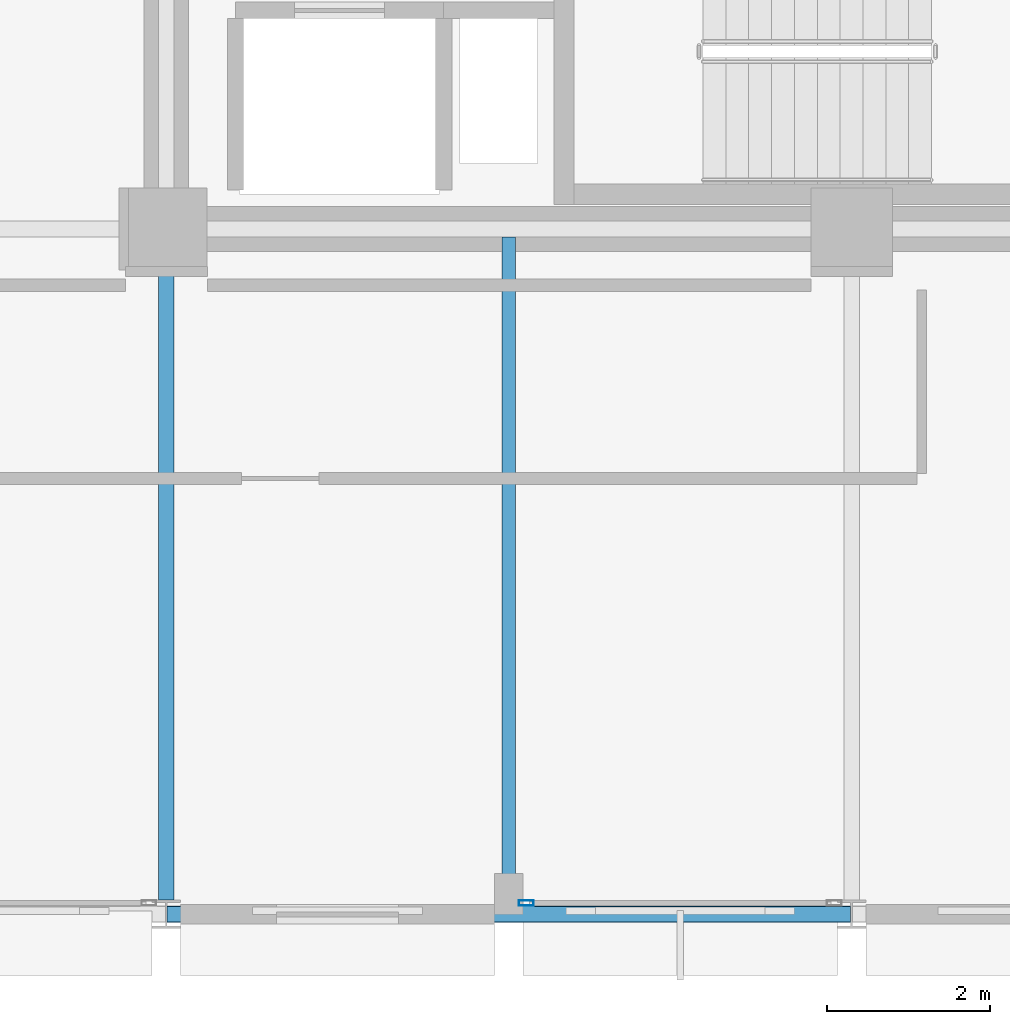
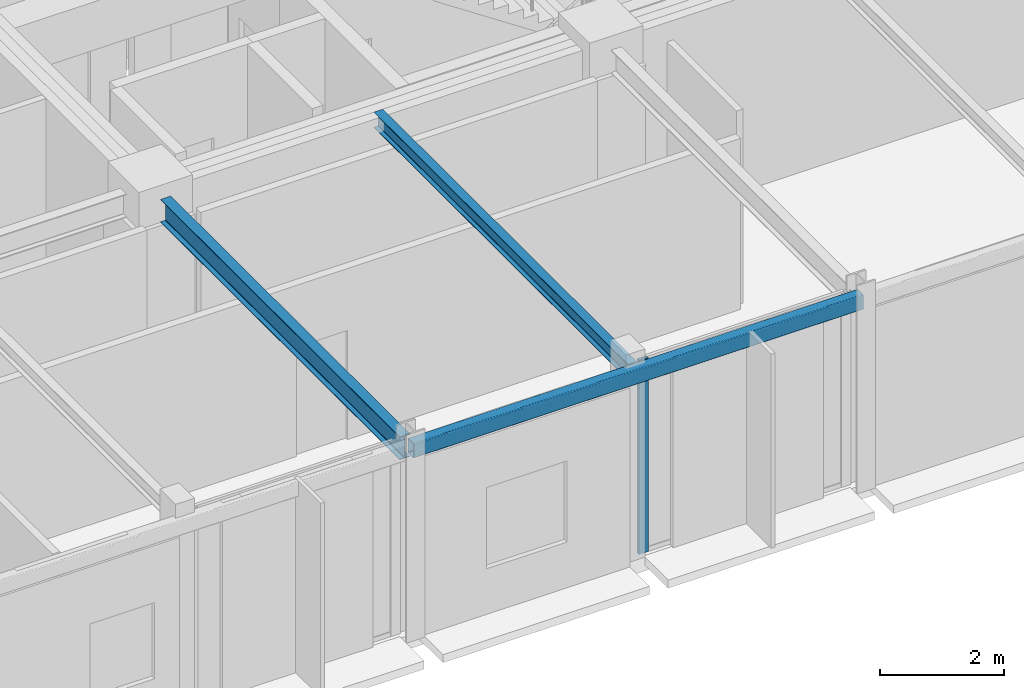
# One storey, part 7 of 30: 3 beams, 1 member, 1 element without a shape of its own.
"""IFC4 building model written with IfcOpenShell, lengths in metres."""

from ifc_helpers import new_model, si_unit, direction, frame, origin, origin_2d, place, context, subcontext, project, spatial, hollow_rectangle, i_section, extrude, material, layer, layer_set, material_profile, profile_set, type_object, element, aggregate, save


model = new_model("IFC4")

# Units and contexts
model_context = context("Model", 3, precision=1e-05, world=origin(), true_north=direction((0.0, 1.0)))
body_context = subcontext(model_context, "Body", "Model", "MODEL_VIEW")
ifc_project = project(units=[si_unit("LENGTHUNIT", "METRE"), si_unit("AREAUNIT", "SQUARE_METRE"), si_unit("VOLUMEUNIT", "CUBIC_METRE"), si_unit("PLANEANGLEUNIT", "RADIAN"), si_unit("MASSUNIT", "GRAM", prefix="KILO")], contexts=[model_context])

# Site, building, storey
site_placement = place(None, origin())
site = spatial("IfcSite", under=ifc_project, at=site_placement, CompositionType="ELEMENT")
building_placement = place(site_placement, origin())
building = spatial("IfcBuilding", under=site, at=building_placement, Name="Nerrivon Quay Data Exchange", CompositionType="ELEMENT")
storey_placement = place(building_placement, frame((0.0, 0.0, 171.39990234375)))
storey = spatial("IfcBuildingStorey", under=building, at=storey_placement, Name="L40", CompositionType="ELEMENT", Elevation=171.39990234375)

# Beams
ifc_material_1 = material(Name="Steel Grade 350", Category="steel")
ifc_material_profile_1 = material_profile(ifc_material_1, i_section(OverallWidth=0.18994140625, OverallDepth=0.4541015625, WebThickness=0.008544921875, FlangeThickness=0.0126953125, FilletRadius=0.011474609375, at=origin_2d()), Name="460UB67.1")
ifc_profile_set_1 = profile_set([ifc_material_profile_1], Name="Steel Grade 350")
beam_type_1 = type_object("IfcBeamType", Name="BM-G6-460UB67", PredefinedType="BEAM", material=ifc_profile_set_1)
beam_1_placement = place(storey_placement, frame((16.800048828125, 0.175048828125, 3.59814453125), z_axis=(0.0, 1.0, 0.0), x_axis=(-1.0, 0.0, 0.0)))
element("IfcBeam", 1, at=beam_1_placement, inside=storey, type_object=beam_type_1, Name="L40 NS Girder X=16.8 (0.0..8.4)", PredefinedType="BEAM", context=body_context, shape_type="SweptSolid", body=[
    extrude(i_section(OverallWidth=0.18994140625, OverallDepth=0.4541015625, WebThickness=0.008544921875, FlangeThickness=0.0126953125, FilletRadius=0.011474609375, at=origin_2d()), origin(), (0.0, 0.0, 1.0), 7.724853515625),
])
ifc_material_profile_2 = material_profile(ifc_material_1, i_section(OverallWidth=0.166015625, OverallDepth=0.306884765625, WebThickness=0.006591796875, FlangeThickness=0.01171875, FilletRadius=0.011474609375, at=origin_2d()), Name="310UB46.2")
ifc_profile_set_2 = profile_set([ifc_material_profile_2], Name="Steel Grade 350")
beam_type_2 = type_object("IfcBeamType", Name="BM-J5-310UB46", PredefinedType="JOIST", material=ifc_profile_set_2)
beam_2_placement = place(storey_placement, frame((21.0, 0.10009765625, 3.671630859375), z_axis=(0.0, 1.0, 0.0), x_axis=(-1.0, 0.0, 0.0)))
element("IfcBeam", 2, at=beam_2_placement, inside=storey, type_object=beam_type_2, Name="L40 Secondary Joist X=21.0 (0.0..8.4)", PredefinedType="JOIST", context=body_context, shape_type="SweptSolid", body=[
    extrude(i_section(OverallWidth=0.166015625, OverallDepth=0.306884765625, WebThickness=0.006591796875, FlangeThickness=0.01171875, FilletRadius=0.011474609375, at=origin_2d()), origin(), (0.0, 0.0, 1.0), 8.204345703125),
])
ifc_material_2 = material(Name="Steel Grade C350L0 (350 MPa)", Category="steel")
ifc_material_profile_3 = material_profile(ifc_material_2, hollow_rectangle(XDim=0.199951171875, YDim=0.300048828125, WallThickness=0.012451171875, InnerFilletRadius=0.018798828125, OuterFilletRadius=0.03125, at=origin_2d()), Name="300x200x12.5RHS")
ifc_profile_set_3 = profile_set([ifc_material_profile_3], Name="Steel Grade C350L0 (350 MPa)")
beam_type_3 = type_object("IfcBeamType", Name="BM-SP3-300x200RHS", PredefinedType="SPANDREL", material=ifc_profile_set_3)
beam_3_placement = place(storey_placement, frame((16.81005859375, 0.0, 3.675048828125), z_axis=(1.0, 0.0, 0.0), x_axis=(0.0, 1.0, 0.0)))
element("IfcBeam", 3, at=beam_3_placement, inside=storey, type_object=beam_type_3, Name="L40 EW Girder Y=0.0 (16.8..25.2)", PredefinedType="SPANDREL", context=body_context, shape_type="SweptSolid", body=[
    extrude(hollow_rectangle(XDim=0.199951171875, YDim=0.300048828125, WallThickness=0.012451171875, InnerFilletRadius=0.018798828125, OuterFilletRadius=0.03125, at=origin_2d()), origin(), (0.0, 0.0, 1.0), 8.3798828125),
])

# Curtain wall, member
ifc_material_3 = material(Name="Anodised aluminium 6063-T6", Category="aluminium")
ifc_layer = layer(ifc_material_3, 0.195068359375)
ifc_layer_set = layer_set([ifc_layer], Name="Anodised aluminium 6063-T6")
curtain_wall_type = type_object("IfcCurtainWallType", Name="CW-SYS-06", PredefinedType="NOTDEFINED", material=ifc_layer_set)
curtain_wall_placement = place(storey_placement, origin())
curtain_wall = element("IfcCurtainWall", 4, at=curtain_wall_placement, inside=storey, type_object=curtain_wall_type, Name="L40 Unitised Curtain Wall 24", PredefinedType="NOTDEFINED")
ifc_material_profile_4 = material_profile(ifc_material_3, hollow_rectangle(XDim=0.06494140625, YDim=0.179931640625, WallThickness=0.00341796875, at=origin_2d()), Name="ALU-MULL-180x65")
ifc_profile_set_4 = profile_set([ifc_material_profile_4], Name="Anodised aluminium 6063-T6")
member_type = type_object("IfcMemberType", Name="CWM-180x65", PredefinedType="MULLION", material=ifc_profile_set_4)
member_placement = place(storey_placement, frame((21.21240234375, 0.139892578125, 0.0), z_axis=(0.0, 0.0, 1.0), x_axis=(0.0, -1.0, 0.0)))
member = element("IfcMember", 5, at=member_placement, type_object=member_type, Name="CW06 mullion 2", PredefinedType="MULLION", context=body_context, shape_type="SweptSolid", body=[
    extrude(hollow_rectangle(XDim=0.06494140625, YDim=0.179931640625, WallThickness=0.00341796875, at=origin_2d()), origin(), (0.0, 0.0, 1.0), 3.8251953125),
])
aggregate(curtain_wall, [member])

save(model, "model.ifc")
